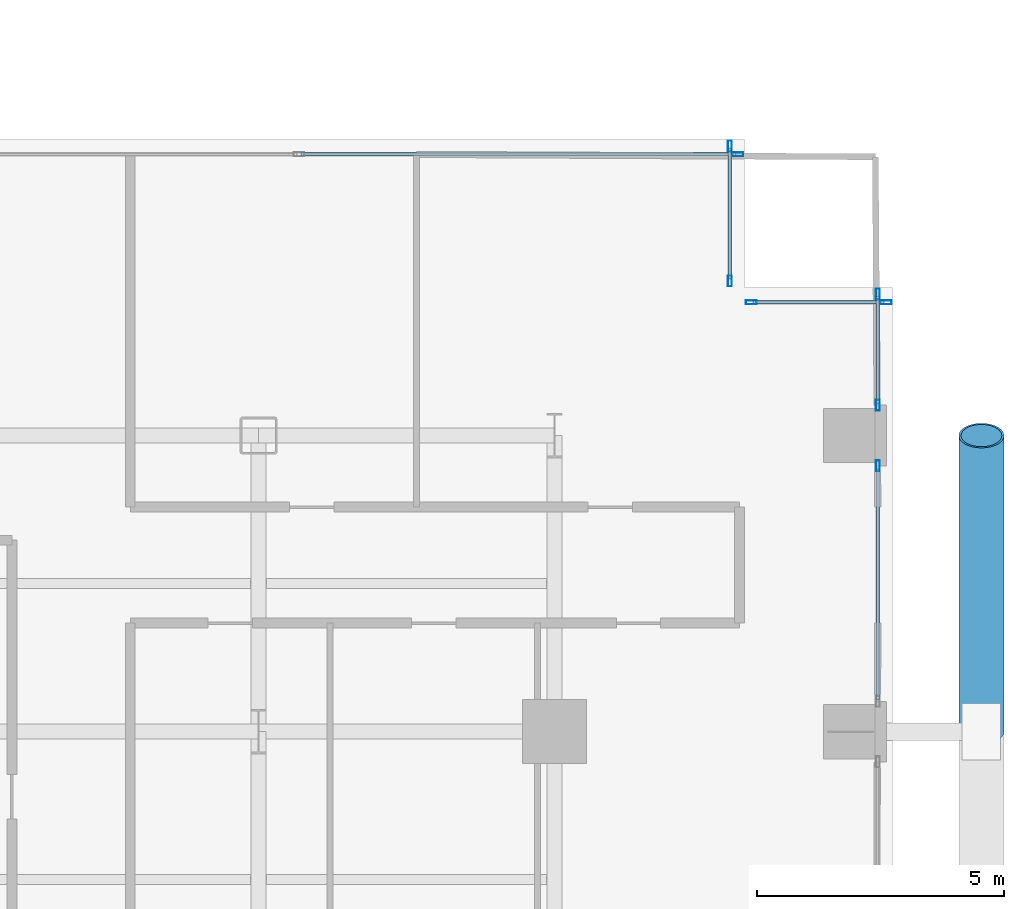
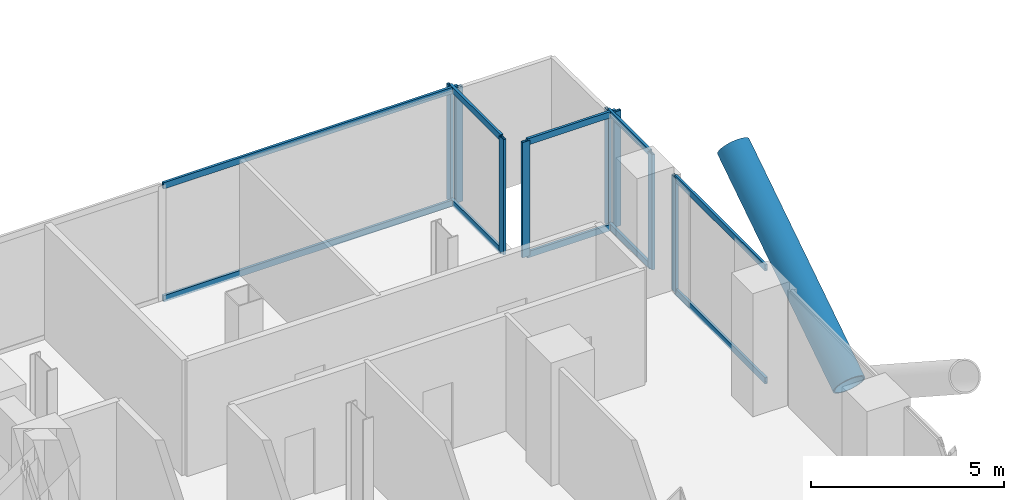
# One storey, part 12 of 25: 19 members, 5 elements without a shape of their own.
"""IFC4 building model written with IfcOpenShell, lengths in metres."""

import ifcopenshell
import ifcopenshell.guid

model = None  # the IFC model being written
_history = None  # IfcOwnerHistory: only IFC2X3 demands one
_inside = {}  # id of a spatial element -> (the spatial element, [elements in it])
_under = {}  # id of a project, library or spatial element -> (it, [spatial elements below it])
_declared = {}  # id of a project -> (the project, [libraries it declares])
_typed = {}  # id of a type object -> (the type object, [elements of that type])
_made_of = {}  # id of a material, layer set ... -> (it, [elements and type objects made of it])


def new_model(schema):
    """Start an empty IFC model of exactly this schema.

    Asked for "IFC4X3", IfcOpenShell would pick the latest addendum, in which some entities
    have other attributes; the version numbers below select the first issue.
    IFC2X3 requires an IfcOwnerHistory on every rooted entity: one is made here for all.
    """
    global model, _history
    if schema == "IFC4X3":
        model = ifcopenshell.file(schema_version=(4, 3, 0, 0))
    else:
        model = ifcopenshell.file(schema=schema)
    _inside.clear()
    _under.clear()
    _declared.clear()
    _typed.clear()
    _made_of.clear()
    _history = None
    if model.schema == "IFC2X3":
        org = make("IfcOrganization", Name="unknown")
        user = make(
            "IfcPersonAndOrganization",
            ThePerson=make("IfcPerson", FamilyName="unknown"),
            TheOrganization=org,
        )
        app = make(
            "IfcApplication",
            ApplicationDeveloper=org,
            Version="unknown",
            ApplicationFullName="unknown",
            ApplicationIdentifier="unknown",
        )
        _history = make(
            "IfcOwnerHistory",
            OwningUser=user,
            OwningApplication=app,
            ChangeAction="ADDED",
            CreationDate=0,
        )
    return model


def make(cls, **values):
    """One entity of the class cls with the attributes given. An attribute that is None is left unset."""
    return model.create_entity(
        cls, **{name: value for name, value in values.items() if value is not None}
    )


def rooted(cls, **values):
    """An entity with a GlobalId (a new one), such as an element, a storey or a relation."""
    return make(cls, GlobalId=ifcopenshell.guid.new(), OwnerHistory=_history, **values)


def si_unit(unit_type, name, prefix=None):
    """IfcSIUnit, for example si_unit("LENGTHUNIT", "METRE", prefix="MILLI")."""
    return make("IfcSIUnit", UnitType=unit_type, Prefix=prefix, Name=name)


def assignment(units):
    """IfcUnitAssignment: the units of a project."""
    return None if units is None else make("IfcUnitAssignment", Units=units)


def point(xyz):
    """IfcCartesianPoint."""
    return None if xyz is None else make("IfcCartesianPoint", Coordinates=xyz)


def direction(xyz):
    """IfcDirection."""
    return None if xyz is None else make("IfcDirection", DirectionRatios=xyz)


def frame(location, z_axis=None, x_axis=None):
    """IfcAxis2Placement3D, a coordinate frame: its origin and axes. An axis left out is left unset."""
    return make(
        "IfcAxis2Placement3D",
        Location=point(location),
        Axis=direction(z_axis),
        RefDirection=direction(x_axis),
    )


def frame_2d(location, x_axis=None):
    """IfcAxis2Placement2D, a coordinate frame in the plane: its origin and x axis."""
    return make(
        "IfcAxis2Placement2D", Location=point(location), RefDirection=direction(x_axis)
    )


def origin():
    """The frame at (0, 0, 0) with its axes left unset."""
    return frame((0.0, 0.0, 0.0))


def origin_2d():
    """The frame at (0, 0) in the plane with its x axis left unset."""
    return frame_2d((0.0, 0.0))


def place(relative_to, where):
    """IfcLocalPlacement: puts the frame where relative to a parent placement (None: the world)."""
    return make(
        "IfcLocalPlacement", PlacementRelTo=relative_to, RelativePlacement=where
    )


def context(
    kind, dimensions, precision=None, world=None, true_north=None, identifier=None
):
    """IfcGeometricRepresentationContext, for example the 3D "Model" context."""
    return make(
        "IfcGeometricRepresentationContext",
        ContextIdentifier=identifier,
        ContextType=kind,
        CoordinateSpaceDimension=dimensions,
        Precision=precision,
        WorldCoordinateSystem=world,
        TrueNorth=true_north,
    )


def subcontext(parent, identifier, kind, view, scale=None):
    """IfcGeometricRepresentationSubContext, for example "Body" below "Model"."""
    return make(
        "IfcGeometricRepresentationSubContext",
        ContextIdentifier=identifier,
        ContextType=kind,
        ParentContext=parent,
        TargetScale=scale,
        TargetView=view,
    )


def project(units=None, contexts=None):
    """IfcProject with its units and contexts."""
    return rooted(
        "IfcProject",
        Name="project",
        RepresentationContexts=contexts,
        UnitsInContext=assignment(units),
    )


def spatial(cls, under=None, at=None, **own):
    """A site, building, storey or space (cls), placed at a placement, below another one or the project."""
    s = rooted(cls, ObjectPlacement=at, **own)
    if under is not None:
        _under.setdefault(under.id(), (under, []))[1].append(s)
    return s


def profile(cls, at=None, kind="AREA", **sizes):
    """A parametric profile (cls). Its sizes go by their IFC names, for example OverallWidth=200.0."""
    return make(cls, ProfileType=kind, Position=at, **sizes)


def hollow_rectangle(**sizes):
    """IfcRectangleHollowProfileDef."""
    return profile("IfcRectangleHollowProfileDef", **sizes)


def hollow_circle(**sizes):
    """IfcCircleHollowProfileDef."""
    return profile("IfcCircleHollowProfileDef", **sizes)


def extrude(swept, where, along, depth):
    """IfcExtrudedAreaSolid: the profile swept, set in the frame where, extruded along a direction by depth."""
    return make(
        "IfcExtrudedAreaSolid",
        SweptArea=swept,
        Position=where,
        ExtrudedDirection=direction(along),
        Depth=depth,
    )


def shape(context_of_items, identifier, shape_type, items):
    """IfcShapeRepresentation: the items that make up one representation, for example the "Body"."""
    return make(
        "IfcShapeRepresentation",
        ContextOfItems=context_of_items,
        RepresentationIdentifier=identifier,
        RepresentationType=shape_type,
        Items=items,
    )


def material(Name=None, Category=None):
    """IfcMaterial."""
    return make("IfcMaterial", Name=Name, Category=Category)


def layer(
    of_material, thickness, ventilated=None, Name=None, Category=None, Priority=None
):
    """IfcMaterialLayer: one layer of a wall or slab, of a material (None: an air gap)."""
    return make(
        "IfcMaterialLayer",
        Material=of_material,
        LayerThickness=thickness,
        IsVentilated=ventilated,
        Name=Name,
        Category=Category,
        Priority=Priority,
    )


def layer_set(layers, Name=None):
    """IfcMaterialLayerSet."""
    return make("IfcMaterialLayerSet", MaterialLayers=layers, LayerSetName=Name)


def material_profile(
    of_material, cross_section, Name=None, Category=None, Priority=None
):
    """IfcMaterialProfile: a cross section and its material."""
    return make(
        "IfcMaterialProfile",
        Name=Name,
        Material=of_material,
        Profile=cross_section,
        Priority=Priority,
        Category=Category,
    )


def profile_set(profiles, Name=None, composite=None):
    """IfcMaterialProfileSet."""
    return make(
        "IfcMaterialProfileSet",
        Name=Name,
        MaterialProfiles=profiles,
        CompositeProfile=composite,
    )


def made_of(thing, what):
    """Note that an element or type object is made of a material, layer set ...; save() writes the relation."""
    if what is not None:
        _made_of.setdefault(what.id(), (what, []))[1].append(thing)
    return thing


def type_object(cls, material=None, **own):
    """A type object (cls), such as IfcWallType, which elements share."""
    return made_of(rooted(cls, **own), material)


def element(
    cls,
    number,
    at=None,
    inside=None,
    cuts=None,
    type_object=None,
    material=None,
    context=None,
    identifier="Body",
    shape_type=None,
    held_by="IfcProductDefinitionShape",
    body=None,
    shapes=None,
    **own,
):
    """One element of the class cls, such as IfcWall. Its Tag is "e" and its number.

    at: its placement. inside: the storey or other place that contains it. cuts: it is an
    opening in that element (IfcRelVoidsElement). A single representation is given by context,
    identifier, shape_type and body (its items); several are given by shapes. held_by: the class
    of the entity that holds the representations. save() writes the other relations.
    """
    e = rooted(cls, Tag="e%d" % number, ObjectPlacement=at, **own)
    if body is not None:
        shapes = [shape(context, identifier, shape_type, body)]
    if shapes is not None:
        e.Representation = make(held_by, Representations=shapes)
    if inside is not None:
        _inside.setdefault(inside.id(), (inside, []))[1].append(e)
    if cuts is not None:
        rooted(
            "IfcRelVoidsElement", RelatingBuildingElement=cuts, RelatedOpeningElement=e
        )
    if type_object is not None:
        _typed.setdefault(type_object.id(), (type_object, []))[1].append(e)
    return made_of(e, material)


def aggregate(whole, parts):
    """IfcRelAggregates: a whole, such as a stair, and the parts it consists of."""
    return rooted("IfcRelAggregates", RelatingObject=whole, RelatedObjects=parts)


def save(model, path):
    """Write the relations noted so far, then the file.

    IfcRelAggregates (storeys below a building ...), IfcRelContainedInSpatialStructure (elements
    in a storey), IfcRelDefinesByType, IfcRelAssociatesMaterial and IfcRelDeclares: one each for
    every whole, place, type object, material and project.
    """
    for whole, parts in _under.values():
        aggregate(whole, parts)
    for where, things in _inside.values():
        rooted(
            "IfcRelContainedInSpatialStructure",
            RelatedElements=things,
            RelatingStructure=where,
        )
    for kind, things in _typed.values():
        rooted("IfcRelDefinesByType", RelatedObjects=things, RelatingType=kind)
    for what, things in _made_of.values():
        rooted("IfcRelAssociatesMaterial", RelatedObjects=things, RelatingMaterial=what)
    for by, libraries in _declared.values():
        rooted("IfcRelDeclares", RelatingContext=by, RelatedDefinitions=libraries)
    model.write(path)


model = new_model("IFC4")

# Units and contexts
model_context = context("Model", 3, precision=1e-05, world=origin(), true_north=direction((0.0, 1.0)))
body_context = subcontext(model_context, "Body", "Model", "MODEL_VIEW")
ifc_project = project(units=[si_unit("LENGTHUNIT", "METRE"), si_unit("AREAUNIT", "SQUARE_METRE"), si_unit("VOLUMEUNIT", "CUBIC_METRE"), si_unit("PLANEANGLEUNIT", "RADIAN"), si_unit("MASSUNIT", "GRAM", prefix="KILO"), si_unit("THERMODYNAMICTEMPERATUREUNIT", "KELVIN"), si_unit("POWERUNIT", "WATT")], contexts=[model_context])

# Site, building, storey
site_placement = place(None, origin())
site = spatial("IfcSite", under=ifc_project, at=site_placement, CompositionType="ELEMENT")
building_placement = place(site_placement, origin())
building = spatial("IfcBuilding", under=site, at=building_placement, Name="Svarakhadi Broadcast Tower", CompositionType="ELEMENT")
storey_placement = place(building_placement, frame((0.0, 0.0, 51.89990234375)))
storey = spatial("IfcBuildingStorey", under=building, at=storey_placement, Name="L11", CompositionType="ELEMENT", Elevation=51.89990234375)

# Curtain wall, member
ifc_material_1 = material(Name="Anodised Bronze Aluminium AA 6063-T6", Category="aluminium")
ifc_layer = layer(ifc_material_1, 0.219970703125)
ifc_layer_set = layer_set([ifc_layer], Name="Anodised Bronze Aluminium AA 6063-T6")
curtain_wall_type = type_object("IfcCurtainWallType", Name="CW_Sys_02", PredefinedType="NOTDEFINED", material=ifc_layer_set)
curtain_wall_1_placement = place(storey_placement, origin())
curtain_wall_1 = element("IfcCurtainWall", 1, at=curtain_wall_1_placement, inside=storey, type_object=curtain_wall_type, Name="L11 Unitised Facade Curtain Wall 10", PredefinedType="NOTDEFINED")
ifc_material_profile_1 = material_profile(ifc_material_1, hollow_rectangle(XDim=0.0849609375, YDim=0.219970703125, WallThickness=0.006103515625, at=origin_2d()), Name="ALU MULLION 220x85x6")
ifc_profile_set_1 = profile_set([ifc_material_profile_1], Name="Anodised Bronze Aluminium AA 6063-T6")
member_type_1 = type_object("IfcMemberType", Name="CW_Sys_02_Mul", PredefinedType="MULLION", material=ifc_profile_set_1)
member_1_placement = place(storey_placement, frame((50.867431640625, 23.699951171875, 0.0), z_axis=(0.0, 0.0, 1.0), x_axis=(0.0, 1.0, 0.0)))
member_1 = element("IfcMember", 2, at=member_1_placement, type_object=member_type_1, Name="CW-02 mullion 4", PredefinedType="MULLION", context=body_context, shape_type="SweptSolid", body=[
    extrude(hollow_rectangle(XDim=0.0849609375, YDim=0.219970703125, WallThickness=0.006103515625, at=origin_2d()), origin(), (0.0, 0.0, 1.0), 3.650146484375),
])

# Curtain wall, members
curtain_wall_2_placement = place(storey_placement, origin())
curtain_wall_2 = element("IfcCurtainWall", 3, at=curtain_wall_2_placement, inside=storey, type_object=curtain_wall_type, Name="L11 Unitised Facade Curtain Wall 11", PredefinedType="NOTDEFINED")
member_2_placement = place(storey_placement, frame((50.699951171875, 23.867431640625, 0.0), z_axis=(0.0, 0.0, 1.0), x_axis=(1.0, 0.0, 0.0)))
member_2 = element("IfcMember", 4, at=member_2_placement, type_object=member_type_1, Name="CW-02 mullion 1", PredefinedType="MULLION", context=body_context, shape_type="SweptSolid", body=[
    extrude(hollow_rectangle(XDim=0.0849609375, YDim=0.219970703125, WallThickness=0.006103515625, at=origin_2d()), origin(), (0.0, 0.0, 1.0), 3.650146484375),
])
member_3_placement = place(storey_placement, frame((50.699951171875, 21.132568359375, 0.0), z_axis=(0.0, 0.0, 1.0), x_axis=(1.0, 0.0, 0.0)))
member_3 = element("IfcMember", 5, at=member_3_placement, type_object=member_type_1, Name="CW-02 mullion 2", PredefinedType="MULLION", context=body_context, shape_type="SweptSolid", body=[
    extrude(hollow_rectangle(XDim=0.0849609375, YDim=0.219970703125, WallThickness=0.006103515625, at=origin_2d()), origin(), (0.0, 0.0, 1.0), 3.650146484375),
])

curtain_wall_3_placement = place(storey_placement, origin())
curtain_wall_3 = element("IfcCurtainWall", 6, at=curtain_wall_3_placement, inside=storey, type_object=curtain_wall_type, Name="L11 Unitised Facade Curtain Wall 12", PredefinedType="NOTDEFINED")
member_4_placement = place(storey_placement, frame((51.132568359375, 20.699951171875, 0.0), z_axis=(0.0, 0.0, 1.0), x_axis=(0.0, 1.0, 0.0)))
member_4 = element("IfcMember", 7, at=member_4_placement, type_object=member_type_1, Name="CW-02 mullion 1", PredefinedType="MULLION", context=body_context, shape_type="SweptSolid", body=[
    extrude(hollow_rectangle(XDim=0.0849609375, YDim=0.219970703125, WallThickness=0.006103515625, at=origin_2d()), origin(), (0.0, 0.0, 1.0), 3.650146484375),
])
member_5_placement = place(storey_placement, frame((53.867431640625, 20.699951171875, 0.0), z_axis=(0.0, 0.0, 1.0), x_axis=(0.0, 1.0, 0.0)))
member_5 = element("IfcMember", 8, at=member_5_placement, type_object=member_type_1, Name="CW-02 mullion 2", PredefinedType="MULLION", context=body_context, shape_type="SweptSolid", body=[
    extrude(hollow_rectangle(XDim=0.0849609375, YDim=0.219970703125, WallThickness=0.006103515625, at=origin_2d()), origin(), (0.0, 0.0, 1.0), 3.650146484375),
])

curtain_wall_4_placement = place(storey_placement, origin())
curtain_wall_4 = element("IfcCurtainWall", 9, at=curtain_wall_4_placement, inside=storey, type_object=curtain_wall_type, Name="L11 Unitised Facade Curtain Wall 13 Bay 1", PredefinedType="NOTDEFINED")
member_6_placement = place(storey_placement, frame((53.699951171875, 20.867431640625, 0.0), z_axis=(0.0, 0.0, 1.0), x_axis=(1.0, 0.0, 0.0)))
member_6 = element("IfcMember", 10, at=member_6_placement, type_object=member_type_1, Name="CW-02 mullion 1", PredefinedType="MULLION", context=body_context, shape_type="SweptSolid", body=[
    extrude(hollow_rectangle(XDim=0.0849609375, YDim=0.219970703125, WallThickness=0.006103515625, at=origin_2d()), origin(), (0.0, 0.0, 1.0), 3.650146484375),
])
member_7_placement = place(storey_placement, frame((53.699951171875, 18.612548828125, 0.0), z_axis=(0.0, 0.0, 1.0), x_axis=(1.0, 0.0, 0.0)))
member_7 = element("IfcMember", 11, at=member_7_placement, type_object=member_type_1, Name="CW-02 mullion 2", PredefinedType="MULLION", context=body_context, shape_type="SweptSolid", body=[
    extrude(hollow_rectangle(XDim=0.0849609375, YDim=0.219970703125, WallThickness=0.006103515625, at=origin_2d()), origin(), (0.0, 0.0, 1.0), 3.650146484375),
])

# Curtain wall, member
curtain_wall_5_placement = place(storey_placement, origin())
curtain_wall_5 = element("IfcCurtainWall", 12, at=curtain_wall_5_placement, inside=storey, type_object=curtain_wall_type, Name="L11 Unitised Facade Curtain Wall 13 Bay 2", PredefinedType="NOTDEFINED")
member_8_placement = place(storey_placement, frame((53.699951171875, 17.387451171875, 0.0), z_axis=(0.0, 0.0, 1.0), x_axis=(1.0, 0.0, 0.0)))
member_8 = element("IfcMember", 13, at=member_8_placement, type_object=member_type_1, Name="CW-02 mullion 1", PredefinedType="MULLION", context=body_context, shape_type="SweptSolid", body=[
    extrude(hollow_rectangle(XDim=0.0849609375, YDim=0.219970703125, WallThickness=0.006103515625, at=origin_2d()), origin(), (0.0, 0.0, 1.0), 3.650146484375),
])

# Member
ifc_material_profile_2 = material_profile(ifc_material_1, hollow_rectangle(XDim=0.074951171875, YDim=0.199951171875, WallThickness=0.0048828125, at=origin_2d()), Name="ALU TRANSOM 200x75x5")
ifc_profile_set_2 = profile_set([ifc_material_profile_2], Name="Anodised Bronze Aluminium AA 6063-T6")
member_type_2 = type_object("IfcMemberType", Name="CW_Sys_02_Trn", PredefinedType="USERDEFINED", material=ifc_profile_set_2)
member_9_placement = place(storey_placement, frame((42.012451171875, 23.699951171875, 0.03759765625), z_axis=(1.0, 0.0, 0.0), x_axis=(0.0, 1.0, 0.0)))
member_9 = element("IfcMember", 14, at=member_9_placement, type_object=member_type_2, Name="CW-02 transom 3.1", ObjectType="TRANSOM", PredefinedType="USERDEFINED", context=body_context, shape_type="SweptSolid", body=[
    extrude(hollow_rectangle(XDim=0.074951171875, YDim=0.199951171875, WallThickness=0.0048828125, at=origin_2d()), origin(), (0.0, 0.0, 1.0), 8.8125),
])

member_10_placement = place(storey_placement, frame((42.012451171875, 23.699951171875, 3.612548828125), z_axis=(1.0, 0.0, 0.0), x_axis=(0.0, 1.0, 0.0)))
member_10 = element("IfcMember", 15, at=member_10_placement, type_object=member_type_2, Name="CW-02 transom 3.2", ObjectType="TRANSOM", PredefinedType="USERDEFINED", context=body_context, shape_type="SweptSolid", body=[
    extrude(hollow_rectangle(XDim=0.074951171875, YDim=0.199951171875, WallThickness=0.0048828125, at=origin_2d()), origin(), (0.0, 0.0, 1.0), 8.8125),
])

aggregate(curtain_wall_1, [member_1, member_9, member_10])

member_11_placement = place(storey_placement, frame((50.699951171875, 23.824951171875, 0.03759765625), z_axis=(0.0, -1.0, 0.0), x_axis=(1.0, 0.0, 0.0)))
member_11 = element("IfcMember", 16, at=member_11_placement, type_object=member_type_2, Name="CW-02 transom 1.1", ObjectType="TRANSOM", PredefinedType="USERDEFINED", context=body_context, shape_type="SweptSolid", body=[
    extrude(hollow_rectangle(XDim=0.074951171875, YDim=0.199951171875, WallThickness=0.0048828125, at=origin_2d()), origin(), (0.0, 0.0, 1.0), 2.64990234375),
])

member_12_placement = place(storey_placement, frame((50.699951171875, 23.824951171875, 3.612548828125), z_axis=(0.0, -1.0, 0.0), x_axis=(1.0, 0.0, 0.0)))
member_12 = element("IfcMember", 17, at=member_12_placement, type_object=member_type_2, Name="CW-02 transom 1.2", ObjectType="TRANSOM", PredefinedType="USERDEFINED", context=body_context, shape_type="SweptSolid", body=[
    extrude(hollow_rectangle(XDim=0.074951171875, YDim=0.199951171875, WallThickness=0.0048828125, at=origin_2d()), origin(), (0.0, 0.0, 1.0), 2.64990234375),
])

aggregate(curtain_wall_2, [member_2, member_3, member_11, member_12])

member_13_placement = place(storey_placement, frame((51.175048828125, 20.699951171875, 0.03759765625), z_axis=(1.0, 0.0, 0.0), x_axis=(0.0, 1.0, 0.0)))
member_13 = element("IfcMember", 18, at=member_13_placement, type_object=member_type_2, Name="CW-02 transom 1.1", ObjectType="TRANSOM", PredefinedType="USERDEFINED", context=body_context, shape_type="SweptSolid", body=[
    extrude(hollow_rectangle(XDim=0.074951171875, YDim=0.199951171875, WallThickness=0.0048828125, at=origin_2d()), origin(), (0.0, 0.0, 1.0), 2.64990234375),
])

member_14_placement = place(storey_placement, frame((51.175048828125, 20.699951171875, 3.612548828125), z_axis=(1.0, 0.0, 0.0), x_axis=(0.0, 1.0, 0.0)))
member_14 = element("IfcMember", 19, at=member_14_placement, type_object=member_type_2, Name="CW-02 transom 1.2", ObjectType="TRANSOM", PredefinedType="USERDEFINED", context=body_context, shape_type="SweptSolid", body=[
    extrude(hollow_rectangle(XDim=0.074951171875, YDim=0.199951171875, WallThickness=0.0048828125, at=origin_2d()), origin(), (0.0, 0.0, 1.0), 2.64990234375),
])

aggregate(curtain_wall_3, [member_4, member_5, member_13, member_14])

member_15_placement = place(storey_placement, frame((53.699951171875, 20.824951171875, 0.03759765625), z_axis=(0.0, -1.0, 0.0), x_axis=(1.0, 0.0, 0.0)))
member_15 = element("IfcMember", 20, at=member_15_placement, type_object=member_type_2, Name="CW-02 transom 1.1", ObjectType="TRANSOM", PredefinedType="USERDEFINED", context=body_context, shape_type="SweptSolid", body=[
    extrude(hollow_rectangle(XDim=0.074951171875, YDim=0.199951171875, WallThickness=0.0048828125, at=origin_2d()), origin(), (0.0, 0.0, 1.0), 2.169921875),
])

member_16_placement = place(storey_placement, frame((53.699951171875, 20.824951171875, 3.612548828125), z_axis=(0.0, -1.0, 0.0), x_axis=(1.0, 0.0, 0.0)))
member_16 = element("IfcMember", 21, at=member_16_placement, type_object=member_type_2, Name="CW-02 transom 1.2", ObjectType="TRANSOM", PredefinedType="USERDEFINED", context=body_context, shape_type="SweptSolid", body=[
    extrude(hollow_rectangle(XDim=0.074951171875, YDim=0.199951171875, WallThickness=0.0048828125, at=origin_2d()), origin(), (0.0, 0.0, 1.0), 2.169921875),
])

aggregate(curtain_wall_4, [member_6, member_7, member_15, member_16])

member_17_placement = place(storey_placement, frame((53.699951171875, 17.344970703125, 0.03759765625), z_axis=(0.0, -1.0, 0.0), x_axis=(1.0, 0.0, 0.0)))
member_17 = element("IfcMember", 22, at=member_17_placement, type_object=member_type_2, Name="CW-02 transom 1.1", ObjectType="TRANSOM", PredefinedType="USERDEFINED", context=body_context, shape_type="SweptSolid", body=[
    extrude(hollow_rectangle(XDim=0.074951171875, YDim=0.199951171875, WallThickness=0.0048828125, at=origin_2d()), origin(), (0.0, 0.0, 1.0), 4.68994140625),
])

member_18_placement = place(storey_placement, frame((53.699951171875, 17.344970703125, 3.612548828125), z_axis=(0.0, -1.0, 0.0), x_axis=(1.0, 0.0, 0.0)))
member_18 = element("IfcMember", 23, at=member_18_placement, type_object=member_type_2, Name="CW-02 transom 1.2", ObjectType="TRANSOM", PredefinedType="USERDEFINED", context=body_context, shape_type="SweptSolid", body=[
    extrude(hollow_rectangle(XDim=0.074951171875, YDim=0.199951171875, WallThickness=0.0048828125, at=origin_2d()), origin(), (0.0, 0.0, 1.0), 4.68994140625),
])

aggregate(curtain_wall_5, [member_8, member_17, member_18])

ifc_material_2 = material(Name="Steel S460ML (IS 2062 E450BR)", Category="steel")
ifc_material_profile_3 = material_profile(ifc_material_2, hollow_circle(Radius=0.45703125, WallThickness=0.044921875, at=origin_2d()), Name="CHS 914x45")
ifc_profile_set_3 = profile_set([ifc_material_profile_3], Name="Steel S460ML (IS 2062 E450BR)")
member_type_3 = type_object("IfcMemberType", Name="Exo_Brace_CHS914", PredefinedType="BRACE", material=ifc_profile_set_3)
member_19_placement = place(storey_placement, frame((55.800048828125, 12.0, -0.427734375), z_axis=(0.0, 0.838434262763, 0.545002740383), x_axis=(-1.0, 0.0, 0.0)))
element("IfcMember", 24, at=member_19_placement, inside=storey, type_object=member_type_3, Name="L11 Exposed Bronze Exoskeleton Diagonal E09", PredefinedType="BRACE", context=body_context, shape_type="SweptSolid", body=[
    extrude(hollow_circle(Radius=0.45703125, WallThickness=0.044921875, at=origin_2d()), origin(), (0.0, 0.0, 1.0), 7.15625),
])

save(model, "model.ifc")
